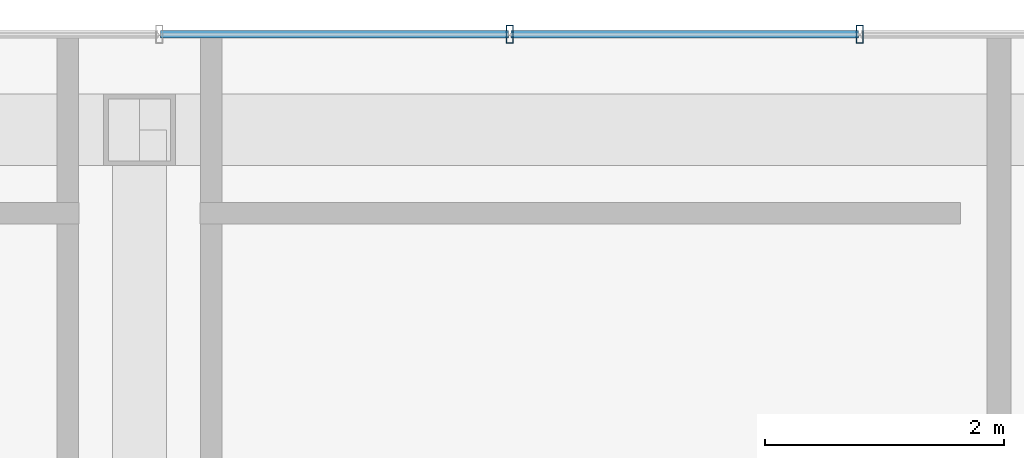
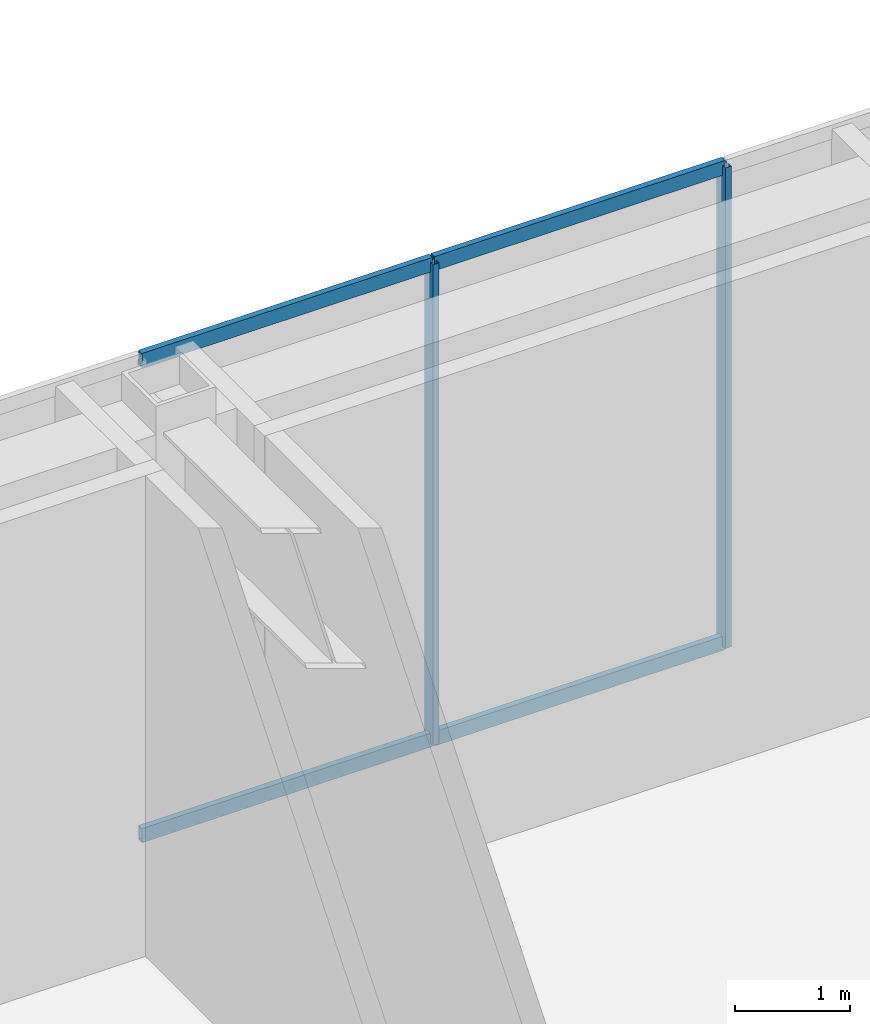
# One storey, part 3 of 10: 6 members, 1 element without a shape of its own.
"""IFC4 building model written with IfcOpenShell, lengths in metres."""

from ifc_helpers import new_model, si_unit, direction, frame, origin, origin_2d, place, context, subcontext, project, spatial, hollow_rectangle, extrude, material, material_profile, profile_set, type_object, element, aggregate, save


model = new_model("IFC4")

# Units and contexts
model_context = context("Model", 3, precision=1e-05, world=origin(), true_north=direction((0.0, 1.0)))
body_context = subcontext(model_context, "Body", "Model", "MODEL_VIEW")
ifc_project = project(units=[si_unit("LENGTHUNIT", "METRE"), si_unit("AREAUNIT", "SQUARE_METRE"), si_unit("VOLUMEUNIT", "CUBIC_METRE"), si_unit("PLANEANGLEUNIT", "RADIAN"), si_unit("MASSUNIT", "GRAM", prefix="KILO")], contexts=[model_context])

# Site, building, storey
site_placement = place(None, origin())
site = spatial("IfcSite", under=ifc_project, at=site_placement, CompositionType="ELEMENT")
building_placement = place(site_placement, origin())
building = spatial("IfcBuilding", under=site, at=building_placement, Name="Ventersveld Concourse Tower", CompositionType="ELEMENT")
storey_placement = place(building_placement, frame((0.0, 0.0, 382.85009765625)))
storey = spatial("IfcBuildingStorey", under=building, at=storey_placement, Name="L93", CompositionType="ELEMENT", Elevation=382.85009765625)

# Curtain wall, members
ifc_material = material(Name="Anodised aluminium EN AW-6063-T6", Category="aluminium")
curtain_wall_type = type_object("IfcCurtainWallType", Name="CW-CRN-6", PredefinedType="NOTDEFINED", material=ifc_material)
curtain_wall_placement = place(storey_placement, origin())
curtain_wall = element("IfcCurtainWall", 1, at=curtain_wall_placement, inside=storey, type_object=curtain_wall_type, Name="L93 L93 Crown North Glazed Curtain Wall", PredefinedType="NOTDEFINED")
ifc_material_profile_1 = material_profile(ifc_material, hollow_rectangle(XDim=0.06005859375, YDim=0.14990234375, WallThickness=0.00390625, at=origin_2d()), Name="ALU 150x60x4")
ifc_profile_set_1 = profile_set([ifc_material_profile_1], Name="Anodised aluminium EN AW-6063-T6")
member_type_1 = type_object("IfcMemberType", Name="CWM-150x65", PredefinedType="MULLION", material=ifc_profile_set_1)
member_1_placement = place(storey_placement, frame((27.283203125, 22.0, 0.0), z_axis=(0.0, 0.0, 1.0), x_axis=(1.0, 0.0, 0.0)))
member_1 = element("IfcMember", 2, at=member_1_placement, type_object=member_type_1, Name="CW-L93-N Mullion 06", PredefinedType="MULLION", context=body_context, shape_type="SweptSolid", body=[
    extrude(hollow_rectangle(XDim=0.06005859375, YDim=0.14990234375, WallThickness=0.00390625, at=origin_2d()), origin(), (0.0, 0.0, 1.0), 5.099853515625),
])
member_2_placement = place(storey_placement, frame((24.35009765625, 22.0, 0.0), z_axis=(0.0, 0.0, 1.0), x_axis=(1.0, 0.0, 0.0)))
member_2 = element("IfcMember", 3, at=member_2_placement, type_object=member_type_1, Name="CW-L93-N Mullion 07", PredefinedType="MULLION", context=body_context, shape_type="SweptSolid", body=[
    extrude(hollow_rectangle(XDim=0.06005859375, YDim=0.14990234375, WallThickness=0.00390625, at=origin_2d()), origin(), (0.0, 0.0, 1.0), 5.099853515625),
])
ifc_material_profile_2 = material_profile(ifc_material, hollow_rectangle(XDim=0.06005859375, YDim=0.14990234375, WallThickness=0.00390625, at=origin_2d()), Name="ALU 150x60x4")
ifc_profile_set_2 = profile_set([ifc_material_profile_2], Name="Anodised aluminium EN AW-6063-T6")
member_type_2 = type_object("IfcMemberType", Name="CWT-150x60", PredefinedType="USERDEFINED", material=ifc_profile_set_2)
member_3_placement = place(storey_placement, frame((27.273193359375, 22.0, 0.02978515625), z_axis=(-1.0, 0.0, 0.0), x_axis=(0.0, -1.0, 0.0)))
member_3 = element("IfcMember", 4, at=member_3_placement, type_object=member_type_2, Name="CW-L93-N Transom 1-06", ObjectType="TRANSOM", PredefinedType="USERDEFINED", context=body_context, shape_type="SweptSolid", body=[
    extrude(hollow_rectangle(XDim=0.06005859375, YDim=0.14990234375, WallThickness=0.00390625, at=origin_2d()), origin(), (0.0, 0.0, 1.0), 2.9130859375),
])
member_4_placement = place(storey_placement, frame((24.340087890625, 22.0, 0.02978515625), z_axis=(-1.0, 0.0, 0.0), x_axis=(0.0, -1.0, 0.0)))
member_4 = element("IfcMember", 5, at=member_4_placement, type_object=member_type_2, Name="CW-L93-N Transom 1-07", ObjectType="TRANSOM", PredefinedType="USERDEFINED", context=body_context, shape_type="SweptSolid", body=[
    extrude(hollow_rectangle(XDim=0.06005859375, YDim=0.14990234375, WallThickness=0.00390625, at=origin_2d()), origin(), (0.0, 0.0, 1.0), 2.913330078125),
])
member_5_placement = place(storey_placement, frame((27.273193359375, 22.0, 5.06982421875), z_axis=(-1.0, 0.0, 0.0), x_axis=(0.0, -1.0, 0.0)))
member_5 = element("IfcMember", 6, at=member_5_placement, type_object=member_type_2, Name="CW-L93-N Transom 2-06", ObjectType="TRANSOM", PredefinedType="USERDEFINED", context=body_context, shape_type="SweptSolid", body=[
    extrude(hollow_rectangle(XDim=0.06005859375, YDim=0.14990234375, WallThickness=0.00390625, at=origin_2d()), origin(), (0.0, 0.0, 1.0), 2.9130859375),
])
member_6_placement = place(storey_placement, frame((24.340087890625, 22.0, 5.06982421875), z_axis=(-1.0, 0.0, 0.0), x_axis=(0.0, -1.0, 0.0)))
member_6 = element("IfcMember", 7, at=member_6_placement, type_object=member_type_2, Name="CW-L93-N Transom 2-07", ObjectType="TRANSOM", PredefinedType="USERDEFINED", context=body_context, shape_type="SweptSolid", body=[
    extrude(hollow_rectangle(XDim=0.06005859375, YDim=0.14990234375, WallThickness=0.00390625, at=origin_2d()), origin(), (0.0, 0.0, 1.0), 2.913330078125),
])
aggregate(curtain_wall, [member_1, member_2, member_3, member_4, member_5, member_6])

save(model, "model.ifc")
